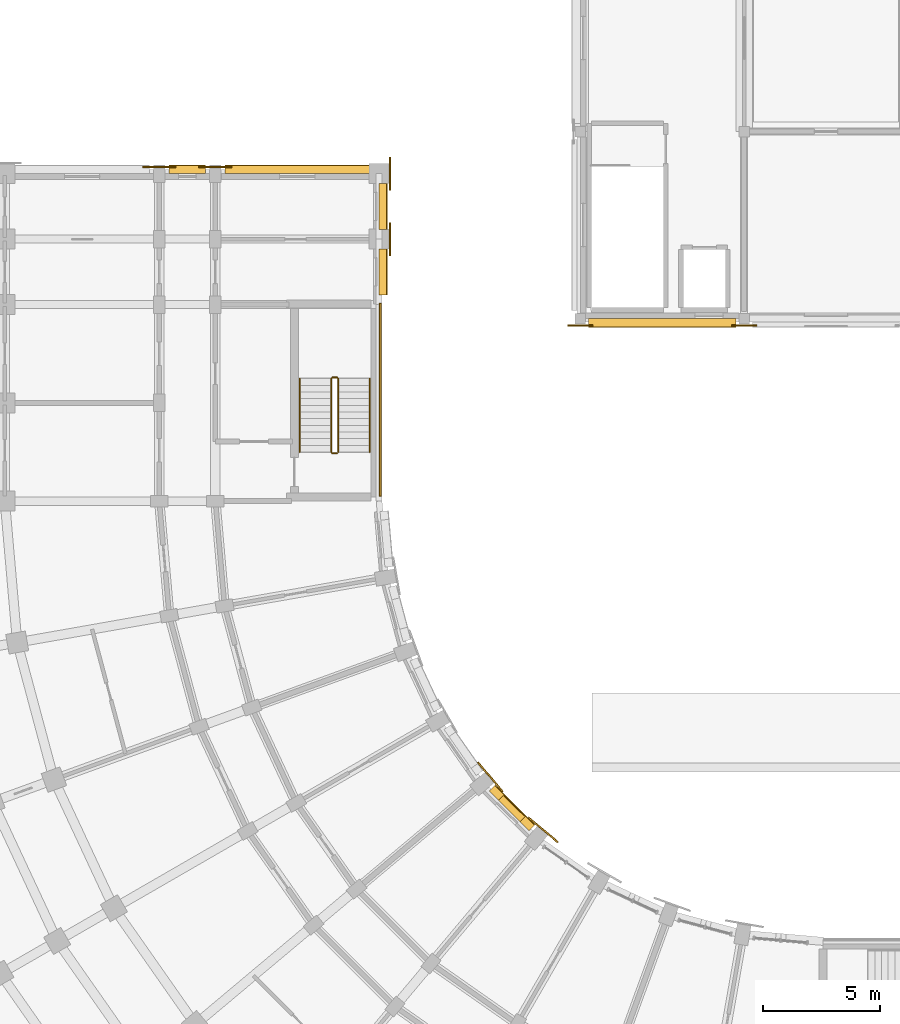
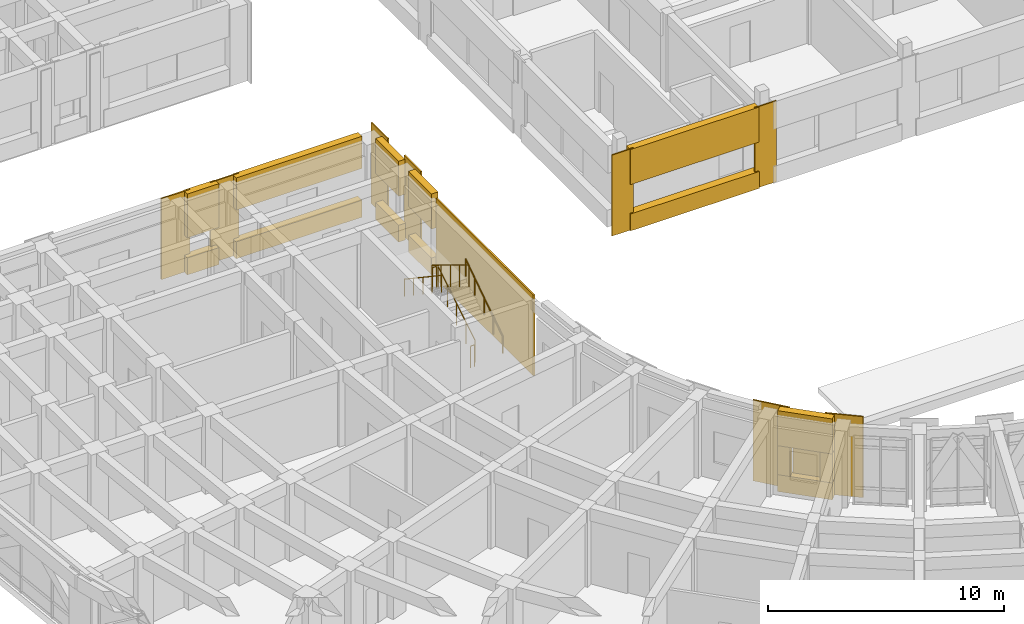
# One storey, part 84 of 97: 23 coverings, 6 railings, 1 shading device.
"""IFC4 building model written with IfcOpenShell, lengths in metres."""

from ifc_helpers import new_model, si_unit, direction, frame, origin, origin_2d, place, context, subcontext, project, spatial, polyline, rectangle, circle, outline, extrude, material, layer, layer_set, type_object, element, save


model = new_model("IFC4")

# Units and contexts
model_context = context("Model", 3, precision=1e-05, world=origin(), true_north=direction((0.0, 1.0)))
body_context = subcontext(model_context, "Body", "Model", "MODEL_VIEW")
ifc_project = project(units=[si_unit("LENGTHUNIT", "METRE"), si_unit("AREAUNIT", "SQUARE_METRE"), si_unit("VOLUMEUNIT", "CUBIC_METRE"), si_unit("PLANEANGLEUNIT", "RADIAN"), si_unit("MASSUNIT", "GRAM", prefix="KILO")], contexts=[model_context])

# Site, building, storey
site_placement = place(None, origin())
site = spatial("IfcSite", under=ifc_project, at=site_placement, CompositionType="ELEMENT")
building_placement = place(site_placement, origin())
building = spatial("IfcBuilding", under=site, at=building_placement, Name="Kiranvali Square Residences", CompositionType="ELEMENT")
storey_placement = place(building_placement, frame((0.0, 0.0, 4.5)))
storey = spatial("IfcBuildingStorey", under=building, at=storey_placement, Name="L01", CompositionType="ELEMENT", Elevation=4.5)

# Coverings
ifc_material_1 = material(Name="Honed Porbandar limestone ashlar facade cladding", Category="masonry")
ifc_layer_1 = layer(ifc_material_1, 0.3798828125)
ifc_layer_set_1 = layer_set([ifc_layer_1], Name="Honed Porbandar limestone ashlar facade cladding")
covering_type_1 = type_object("IfcCoveringType", Name="COV-CLAD-JAMB", PredefinedType="CLADDING", material=ifc_layer_set_1)
covering_1_placement = place(storey_placement, frame((0.0, 0.0, 0.8798828125)))
element("IfcCovering", 1, at=covering_1_placement, inside=storey, type_object=covering_type_1, Name="L01 deep limestone window jamb reveal C-L01-GDN-04.L", PredefinedType="CLADDING", context=body_context, shape_type="SweptSolid", body=[
    extrude(outline(polyline([(36.044921875, 34.349853515625), (35.656982421875, 34.73779296875), (35.4169921875, 34.497802734375), (35.804931640625, 34.10986328125), (36.044921875, 34.349853515625)])), origin(), (0.0, 0.0, 1.0), 1.5),
])
covering_2_placement = place(storey_placement, frame((0.0, 0.0, 0.8798828125)))
element("IfcCovering", 2, at=covering_2_placement, inside=storey, type_object=covering_type_1, Name="L01 deep limestone window jamb reveal C-L01-GDN-04.R", PredefinedType="CLADDING", context=body_context, shape_type="SweptSolid", body=[
    extrude(outline(polyline([(34.73779296875, 35.656982421875), (34.349853515625, 36.044921875), (34.10986328125, 35.804931640625), (34.497802734375, 35.4169921875), (34.73779296875, 35.656982421875)])), origin(), (0.0, 0.0, 1.0), 1.5),
])
ifc_layer_2 = layer(ifc_material_1, 0.06494140625)
ifc_layer_set_2 = layer_set([ifc_layer_2], Name="Honed Porbandar limestone ashlar facade cladding")
covering_type_2 = type_object("IfcCoveringType", Name="COV-CLAD-PIER", PredefinedType="CLADDING", material=ifc_layer_set_2)
covering_3_placement = place(storey_placement, frame((0.0, 0.0, 0.0048828125)))
element("IfcCovering", 3, at=covering_3_placement, inside=storey, type_object=covering_type_2, Name="Block C L01 Arm 2 stair limestone ashlar cladding", PredefinedType="CLADDING", context=body_context, shape_type="SweptSolid", body=[
    extrude(outline(polyline([(29.47998046875, 48.39990234375), (29.47998046875, 56.64990234375), (29.402099609375, 56.64990234375), (29.402099609375, 48.39990234375), (29.47998046875, 48.39990234375)])), origin(), (0.0, 0.0, 1.0), 4.190185546875),
])
covering_4_placement = place(storey_placement, frame((0.0, 0.0, 0.0048828125)))
element("IfcCovering", 4, at=covering_4_placement, inside=storey, type_object=covering_type_2, Name="L01 Classical limestone pilaster casing CLAD-NR-L01-S0", PredefinedType="CLADDING", context=body_context, shape_type="SweptSolid", body=[
    extrude(outline(polyline([(37.469970703125, 55.681884765625), (38.530029296875, 55.681884765625), (38.530029296875, 55.74951171875), (37.469970703125, 55.74951171875), (37.469970703125, 55.681884765625)])), origin(), (0.0, 0.0, 1.0), 4.190185546875),
])
covering_5_placement = place(storey_placement, frame((0.0, 0.0, 0.0048828125)))
element("IfcCovering", 5, at=covering_5_placement, inside=storey, type_object=covering_type_2, Name="L01 Classical limestone pilaster casing CLAD-NR-L01-S1", PredefinedType="CLADDING", context=body_context, shape_type="SweptSolid", body=[
    extrude(outline(polyline([(44.469970703125, 55.681884765625), (45.530029296875, 55.681884765625), (45.530029296875, 55.74951171875), (44.469970703125, 55.74951171875), (44.469970703125, 55.681884765625)])), origin(), (0.0, 0.0, 1.0), 4.190185546875),
])
ifc_layer_3 = layer(ifc_material_1, 0.050048828125)
ifc_layer_set_3 = layer_set([ifc_layer_3], Name="Honed Porbandar limestone ashlar facade cladding")
covering_type_3 = type_object("IfcCoveringType", Name="COV-CLAD-PIER-IN", PredefinedType="CLADDING", material=ifc_layer_set_3)
covering_6_placement = place(storey_placement, frame((0.0, 0.0, 0.0048828125)))
element("IfcCovering", 6, at=covering_6_placement, inside=storey, type_object=covering_type_3, Name="L01 Classical garden courtyard pilaster CLAD-PRIN-C-L01-A04", PredefinedType="CLADDING", context=body_context, shape_type="SweptSolid", body=[
    extrude(outline(polyline([(37.064453125, 33.645751953125), (35.800537109375, 34.706298828125), (35.757080078125, 34.654541015625), (37.02099609375, 33.593994140625), (37.064453125, 33.645751953125)])), origin(), (0.0, 0.0, 1.0), 4.190185546875),
])
covering_7_placement = place(storey_placement, frame((0.0, 0.0, 0.0048828125)))
element("IfcCovering", 7, at=covering_7_placement, inside=storey, type_object=covering_type_3, Name="L01 Classical garden courtyard pilaster CLAD-PRIN-C-L01-A05", PredefinedType="CLADDING", context=body_context, shape_type="SweptSolid", body=[
    extrude(outline(polyline([(34.706298828125, 35.800537109375), (33.645751953125, 37.064453125), (33.593994140625, 37.02099609375), (34.654541015625, 35.757080078125), (34.706298828125, 35.800537109375)])), origin(), (0.0, 0.0, 1.0), 4.190185546875),
])
covering_8_placement = place(storey_placement, frame((0.0, 0.0, 0.0048828125)))
element("IfcCovering", 8, at=covering_8_placement, inside=storey, type_object=covering_type_3, Name="L01 Classical limestone pilaster casing CLAD-PRA2I-C-L01-V112", PredefinedType="CLADDING", context=body_context, shape_type="SweptSolid", body=[
    extrude(outline(polyline([(29.89306640625, 58.695068359375), (29.89306640625, 60.10498046875), (29.825439453125, 60.10498046875), (29.825439453125, 58.695068359375), (29.89306640625, 58.695068359375)])), origin(), (0.0, 0.0, 1.0), 4.190185546875),
])
covering_9_placement = place(storey_placement, frame((0.0, 0.0, 0.0048828125)))
element("IfcCovering", 9, at=covering_9_placement, inside=storey, type_object=covering_type_3, Name="L01 Classical limestone pilaster casing CLAD-PRA2I-C-L01-V140", PredefinedType="CLADDING", context=body_context, shape_type="SweptSolid", body=[
    extrude(outline(polyline([(29.89306640625, 61.4951171875), (29.89306640625, 62.905029296875), (29.825439453125, 62.905029296875), (29.825439453125, 61.4951171875), (29.89306640625, 61.4951171875)])), origin(), (0.0, 0.0, 1.0), 4.190185546875),
])
ifc_layer_4 = layer(ifc_material_1, 0.054931640625)
ifc_layer_set_4 = layer_set([ifc_layer_4], Name="Honed Porbandar limestone ashlar facade cladding")
covering_type_4 = type_object("IfcCoveringType", Name="COV-CLAD-PIER-UP", PredefinedType="CLADDING", material=ifc_layer_set_4)
covering_10_placement = place(storey_placement, frame((0.0, 0.0, 0.0048828125)))
element("IfcCovering", 10, at=covering_10_placement, inside=storey, type_object=covering_type_4, Name="L01 Classical limestone pilaster casing CLAD-PRA2E-C-L01-R258", PredefinedType="CLADDING", context=body_context, shape_type="SweptSolid", body=[
    extrude(outline(polyline([(23.10498046875, 62.51806640625), (21.695068359375, 62.51806640625), (21.695068359375, 62.450439453125), (23.10498046875, 62.450439453125), (23.10498046875, 62.51806640625)])), origin(), (0.0, 0.0, 1.0), 4.190185546875),
])
covering_11_placement = place(storey_placement, frame((0.0, 0.0, 0.0048828125)))
element("IfcCovering", 11, at=covering_11_placement, inside=storey, type_object=covering_type_4, Name="L01 Classical limestone pilaster casing CLAD-PRA2E-C-L01-R282", PredefinedType="CLADDING", context=body_context, shape_type="SweptSolid", body=[
    extrude(outline(polyline([(20.705078125, 62.51806640625), (19.294921875, 62.51806640625), (19.294921875, 62.450439453125), (20.705078125, 62.450439453125), (20.705078125, 62.51806640625)])), origin(), (0.0, 0.0, 1.0), 4.190185546875),
])
ifc_layer_5 = layer(ifc_material_1, 0.360107421875)
ifc_layer_set_5 = layer_set([ifc_layer_5], Name="Honed Porbandar limestone ashlar facade cladding")
covering_type_5 = type_object("IfcCoveringType", Name="COV-CLAD-WALL", PredefinedType="CLADDING", material=ifc_layer_set_5)
covering_12_placement = place(storey_placement, frame((0.0, 0.0, 2.3798828125)))
element("IfcCovering", 12, at=covering_12_placement, inside=storey, type_object=covering_type_5, Name="L01 light limestone spandrel lintel C-L01-GDN-04", PredefinedType="CLADDING", context=body_context, shape_type="SweptSolid", body=[
    extrude(outline(polyline([(36.044921875, 34.349853515625), (34.349853515625, 36.044921875), (34.10986328125, 35.804931640625), (35.804931640625, 34.10986328125), (36.044921875, 34.349853515625)])), origin(), (0.0, 0.0, 1.0), 1.815185546875),
])
covering_13_placement = place(storey_placement, frame((0.0, 0.0, 2.3798828125)))
element("IfcCovering", 13, at=covering_13_placement, inside=storey, type_object=covering_type_5, Name="L01 light limestone spandrel lintel C-L01-A2I-0", PredefinedType="CLADDING", context=body_context, shape_type="SweptSolid", body=[
    extrude(outline(polyline([(29.719970703125, 57.02001953125), (29.719970703125, 58.97998046875), (29.400390625, 58.97998046875), (29.400390625, 57.02001953125), (29.719970703125, 57.02001953125)])), origin(), (0.0, 0.0, 1.0), 1.815185546875),
])
covering_14_placement = place(storey_placement, frame((0.0, 0.0, 0.0048828125)))
element("IfcCovering", 14, at=covering_14_placement, inside=storey, type_object=covering_type_5, Name="L01 limestone window sill apron C-L01-A2I-0", PredefinedType="CLADDING", context=body_context, shape_type="SweptSolid", body=[
    extrude(outline(polyline([(29.75, 57.02001953125), (29.75, 58.97998046875), (29.400390625, 58.97998046875), (29.400390625, 57.02001953125), (29.75, 57.02001953125)])), origin(), (0.0, 0.0, 1.0), 0.875),
])
covering_15_placement = place(storey_placement, frame((0.0, 0.0, 2.3798828125)))
element("IfcCovering", 15, at=covering_15_placement, inside=storey, type_object=covering_type_5, Name="L01 light limestone spandrel lintel C-L01-A2I-1", PredefinedType="CLADDING", context=body_context, shape_type="SweptSolid", body=[
    extrude(outline(polyline([(29.719970703125, 59.820068359375), (29.719970703125, 61.780029296875), (29.400390625, 61.780029296875), (29.400390625, 59.820068359375), (29.719970703125, 59.820068359375)])), origin(), (0.0, 0.0, 1.0), 1.815185546875),
])
covering_16_placement = place(storey_placement, frame((0.0, 0.0, 0.0048828125)))
element("IfcCovering", 16, at=covering_16_placement, inside=storey, type_object=covering_type_5, Name="L01 limestone window sill apron C-L01-A2I-1", PredefinedType="CLADDING", context=body_context, shape_type="SweptSolid", body=[
    extrude(outline(polyline([(29.75, 59.820068359375), (29.75, 61.780029296875), (29.400390625, 61.780029296875), (29.400390625, 59.820068359375), (29.75, 59.820068359375)])), origin(), (0.0, 0.0, 1.0), 0.875),
])
covering_17_placement = place(storey_placement, frame((0.0, 0.0, 2.530029296875)))
element("IfcCovering", 17, at=covering_17_placement, inside=storey, type_object=covering_type_5, Name="L01 light limestone spandrel lintel C-L01-A2END-0", PredefinedType="CLADDING", context=body_context, shape_type="SweptSolid", body=[
    extrude(outline(polyline([(28.97998046875, 62.5400390625), (22.820068359375, 62.5400390625), (22.820068359375, 62.200439453125), (28.97998046875, 62.200439453125), (28.97998046875, 62.5400390625)])), origin(), (0.0, 0.0, 1.0), 1.6650390625),
])
covering_18_placement = place(storey_placement, frame((0.0, 0.0, 0.0048828125)))
element("IfcCovering", 18, at=covering_18_placement, inside=storey, type_object=covering_type_5, Name="L01 limestone window sill apron C-L01-A2END-0", PredefinedType="CLADDING", context=body_context, shape_type="SweptSolid", body=[
    extrude(outline(polyline([(28.97998046875, 62.570068359375), (22.820068359375, 62.570068359375), (22.820068359375, 62.200439453125), (28.97998046875, 62.200439453125), (28.97998046875, 62.570068359375)])), origin(), (0.0, 0.0, 1.0), 0.875),
])
covering_19_placement = place(storey_placement, frame((0.0, 0.0, 1.929931640625)))
element("IfcCovering", 19, at=covering_19_placement, inside=storey, type_object=covering_type_5, Name="L01 light limestone spandrel lintel C-L01-A2END-1", PredefinedType="CLADDING", context=body_context, shape_type="SweptSolid", body=[
    extrude(outline(polyline([(21.97998046875, 62.5400390625), (20.419921875, 62.5400390625), (20.419921875, 62.200439453125), (21.97998046875, 62.200439453125), (21.97998046875, 62.5400390625)])), origin(), (0.0, 0.0, 1.0), 2.26513671875),
])
covering_20_placement = place(storey_placement, frame((0.0, 0.0, 0.0048828125)))
element("IfcCovering", 20, at=covering_20_placement, inside=storey, type_object=covering_type_5, Name="L01 limestone window sill apron C-L01-A2END-1", PredefinedType="CLADDING", context=body_context, shape_type="SweptSolid", body=[
    extrude(outline(polyline([(21.97998046875, 62.570068359375), (20.419921875, 62.570068359375), (20.419921875, 62.200439453125), (21.97998046875, 62.200439453125), (21.97998046875, 62.570068359375)])), origin(), (0.0, 0.0, 1.0), 0.875),
])
covering_21_placement = place(storey_placement, frame((0.0, 0.0, 2.3798828125)))
element("IfcCovering", 21, at=covering_21_placement, inside=storey, type_object=covering_type_5, Name="L01 light limestone spandrel lintel NR-L01-S-0", PredefinedType="CLADDING", context=body_context, shape_type="SweptSolid", body=[
    extrude(outline(polyline([(38.35009765625, 55.64990234375), (44.64990234375, 55.64990234375), (44.64990234375, 55.99951171875), (38.35009765625, 55.99951171875), (38.35009765625, 55.64990234375)])), origin(), (0.0, 0.0, 1.0), 1.815185546875),
])
covering_22_placement = place(storey_placement, frame((0.0, 0.0, 0.0048828125)))
element("IfcCovering", 22, at=covering_22_placement, inside=storey, type_object=covering_type_5, Name="L01 limestone window sill apron NR-L01-S-0", PredefinedType="CLADDING", context=body_context, shape_type="SweptSolid", body=[
    extrude(outline(polyline([(38.35009765625, 55.6201171875), (44.64990234375, 55.6201171875), (44.64990234375, 55.99951171875), (38.35009765625, 55.99951171875), (38.35009765625, 55.6201171875)])), origin(), (0.0, 0.0, 1.0), 0.875),
])
ifc_layer_6 = layer(ifc_material_1, 0.2900390625)
ifc_layer_set_6 = layer_set([ifc_layer_6], Name="Honed Porbandar limestone ashlar facade cladding")
covering_type_6 = type_object("IfcCoveringType", Name="COV-CLAD-WALL-IN", PredefinedType="CLADDING", material=ifc_layer_set_6)
covering_23_placement = place(storey_placement, frame((0.0, 0.0, 0.0048828125)))
element("IfcCovering", 23, at=covering_23_placement, inside=storey, type_object=covering_type_6, Name="L01 limestone window sill apron C-L01-GDN-04", PredefinedType="CLADDING", context=body_context, shape_type="SweptSolid", body=[
    extrude(outline(polyline([(36.066162109375, 34.37109375), (34.37109375, 36.066162109375), (34.10986328125, 35.804931640625), (35.804931640625, 34.10986328125), (36.066162109375, 34.37109375)])), origin(), (0.0, 0.0, 1.0), 0.875),
])

# Railings
ifc_material_2 = material(Name="Brushed stainless steel tubular handrail", Category="steel")
railing_type_1 = type_object("IfcRailingType", Name="RL-HANDRAIL-900", PredefinedType="HANDRAIL", material=ifc_material_2)
railing_1_placement = place(storey_placement, frame((29.0, 50.300048828125, 0.175048828125)))
element("IfcRailing", 24, at=railing_1_placement, inside=storey, type_object=railing_type_1, Name="L01 ST-C3 stair handrail 1", PredefinedType="HANDRAIL", context=body_context, shape_type="SweptSolid", body=[
    extrude(circle(Radius=0.02392578125, at=origin_2d()), frame((0.0, 0.0, 0.8759765625), z_axis=(0.0, 0.830843872262, 0.556505579419), x_axis=(-1.0, 0.0, 0.0)), (0.0, 0.0, 1.0), 3.773193359375),
    extrude(circle(Radius=0.02099609375, at=origin_2d()), origin(), (0.0, 0.0, 1.0), 0.851806640625),
    extrude(circle(Radius=0.02099609375, at=origin_2d()), frame((0.0, 0.78369140625, 0.52490234375)), (0.0, 0.0, 1.0), 0.851806640625),
    extrude(circle(Radius=0.02099609375, at=origin_2d()), frame((0.0, 1.5673828125, 1.0498046875)), (0.0, 0.0, 1.0), 0.851806640625),
    extrude(circle(Radius=0.02099609375, at=origin_2d()), frame((0.0, 2.351318359375, 1.574951171875)), (0.0, 0.0, 1.0), 0.851806640625),
    extrude(circle(Radius=0.02099609375, at=origin_2d()), frame((0.0, 3.135009765625, 2.099853515625)), (0.0, 0.0, 1.0), 0.851806640625),
])
railing_2_placement = place(storey_placement, frame((26.0, 53.43505859375, 2.27490234375)))
element("IfcRailing", 25, at=railing_2_placement, inside=storey, type_object=railing_type_1, Name="L01 ST-C3 stair handrail 2", PredefinedType="HANDRAIL", context=body_context, shape_type="SweptSolid", body=[
    extrude(circle(Radius=0.02392578125, at=origin_2d()), frame((0.0, 0.0, 0.8759765625), z_axis=(0.0, -0.830813955726, 0.556550241192), x_axis=(1.0, 0.0, 0.0)), (0.0, 0.0, 1.0), 3.7734375),
    extrude(circle(Radius=0.02099609375, at=origin_2d()), origin(), (0.0, 0.0, 1.0), 0.851806640625),
    extrude(circle(Radius=0.02099609375, at=origin_2d()), frame((0.0, -0.78369140625, 0.52490234375)), (0.0, 0.0, 1.0), 0.851806640625),
    extrude(circle(Radius=0.02099609375, at=origin_2d()), frame((0.0, -1.5673828125, 1.050048828125)), (0.0, 0.0, 1.0), 0.851806640625),
    extrude(circle(Radius=0.02099609375, at=origin_2d()), frame((0.0, -2.351318359375, 1.5751953125)), (0.0, 0.0, 1.0), 0.851806640625),
    extrude(circle(Radius=0.02099609375, at=origin_2d()), frame((0.0, -3.135009765625, 2.10009765625)), (0.0, 0.0, 1.0), 0.851806640625),
])
ifc_material_3 = material(Name="Powder-coated architectural bronze balustrade", Category="steel")
railing_type_2 = type_object("IfcRailingType", Name="RL-ST-GUARD-1200", PredefinedType="GUARDRAIL", material=ifc_material_3)
railing_3_placement = place(storey_placement, frame((27.64990234375, 50.300048828125, 0.175048828125)))
element("IfcRailing", 26, at=railing_3_placement, inside=storey, type_object=railing_type_2, Name="L01 ST-C3 stair guard 1", PredefinedType="GUARDRAIL", context=body_context, shape_type="SweptSolid", body=[
    extrude(circle(Radius=0.02392578125, at=origin_2d()), frame((0.0, 0.0, 1.1259765625), z_axis=(0.0, 0.852166034122, 0.523271488128), x_axis=(-1.0, 0.0, 0.0)), (0.0, 0.0, 1.0), 3.678955078125),
    extrude(circle(Radius=0.02099609375, at=origin_2d()), origin(), (0.0, 0.0, 1.0), 1.101806640625),
    extrude(circle(Radius=0.02099609375, at=origin_2d()), frame((0.0, 0.78369140625, 0.481201171875)), (0.0, 0.0, 1.0), 1.101806640625),
    extrude(circle(Radius=0.02099609375, at=origin_2d()), frame((0.0, 1.5673828125, 0.96240234375)), (0.0, 0.0, 1.0), 1.101806640625),
    extrude(circle(Radius=0.02099609375, at=origin_2d()), frame((0.0, 2.351318359375, 1.44384765625)), (0.0, 0.0, 1.0), 1.101806640625),
    extrude(circle(Radius=0.02099609375, at=origin_2d()), frame((0.0, 3.135009765625, 1.925048828125)), (0.0, 0.0, 1.0), 1.101806640625),
])
railing_4_placement = place(storey_placement, frame((27.60009765625, 53.485107421875, 2.10009765625)))
element("IfcRailing", 27, at=railing_4_placement, inside=storey, type_object=railing_type_2, Name="L01 ST-C3 stair guard 2", PredefinedType="GUARDRAIL", context=body_context, shape_type="SweptSolid", body=[
    extrude(circle(Radius=0.02392578125, at=origin_2d()), frame((0.0, 0.0, 1.1259765625), z_axis=(-1.0, 0.0, 0.0), x_axis=(0.0, -1.0, 0.0)), (0.0, 0.0, 1.0), 0.2001953125),
    extrude(circle(Radius=0.02099609375, at=origin_2d()), origin(), (0.0, 0.0, 1.0), 1.101806640625),
    extrude(circle(Radius=0.02099609375, at=origin_2d()), frame((-0.2001953125, 0.0, 0.0)), (0.0, 0.0, 1.0), 1.101806640625),
])
railing_5_placement = place(storey_placement, frame((27.35009765625, 53.43505859375, 2.27490234375)))
element("IfcRailing", 28, at=railing_5_placement, inside=storey, type_object=railing_type_2, Name="L01 ST-C3 stair guard 3", PredefinedType="GUARDRAIL", context=body_context, shape_type="SweptSolid", body=[
    extrude(circle(Radius=0.02392578125, at=origin_2d()), frame((0.0, 0.0, 1.1259765625), z_axis=(0.0, -0.852166034122, 0.523271488128), x_axis=(1.0, 0.0, 0.0)), (0.0, 0.0, 1.0), 3.678955078125),
    extrude(circle(Radius=0.02099609375, at=origin_2d()), origin(), (0.0, 0.0, 1.0), 1.101806640625),
    extrude(circle(Radius=0.02099609375, at=origin_2d()), frame((0.0, -0.78369140625, 0.481201171875)), (0.0, 0.0, 1.0), 1.101806640625),
    extrude(circle(Radius=0.02099609375, at=origin_2d()), frame((0.0, -1.5673828125, 0.96240234375)), (0.0, 0.0, 1.0), 1.101806640625),
    extrude(circle(Radius=0.02099609375, at=origin_2d()), frame((0.0, -2.351318359375, 1.44384765625)), (0.0, 0.0, 1.0), 1.101806640625),
    extrude(circle(Radius=0.02099609375, at=origin_2d()), frame((0.0, -3.135009765625, 1.925048828125)), (0.0, 0.0, 1.0), 1.101806640625),
])
railing_6_placement = place(storey_placement, frame((27.60009765625, 50.25, 0.0)))
element("IfcRailing", 29, at=railing_6_placement, inside=storey, type_object=railing_type_2, Name="L01 ST-C3 stair guard 4", PredefinedType="GUARDRAIL", context=body_context, shape_type="SweptSolid", body=[
    extrude(circle(Radius=0.02392578125, at=origin_2d()), frame((0.0, 0.0, 1.1259765625), z_axis=(-1.0, 0.0, 0.0), x_axis=(0.0, -1.0, 0.0)), (0.0, 0.0, 1.0), 0.2001953125),
    extrude(circle(Radius=0.02099609375, at=origin_2d()), origin(), (0.0, 0.0, 1.0), 1.101806640625),
    extrude(circle(Radius=0.02099609375, at=origin_2d()), frame((-0.2001953125, 0.0, 0.0)), (0.0, 0.0, 1.0), 1.101806640625),
])

# Shading device
ifc_material_4 = material(Name="Pierced buff sandstone architectural mashrabiya solar screen", Category="masonry")
shading_device_type = type_object("IfcShadingDeviceType", Name="SHD-JALI-1600", PredefinedType="JALOUSIE", material=ifc_material_4)
shading_device_placement = place(storey_placement, frame((35.183349609375, 35.183349609375, 0.8798828125), z_axis=(0.0, 0.0, 1.0), x_axis=(-0.707106781187, 0.707106781187, 0.0)))
element("IfcShadingDevice", 30, at=shading_device_placement, inside=storey, type_object=shading_device_type, Name="L01 carved stone Mashrabiya screen C-L01-GDN-04", PredefinedType="JALOUSIE", context=body_context, shape_type="SweptSolid", body=[
    extrude(rectangle(XDim=1.199951171875, YDim=0.044921875, at=origin_2d()), origin(), (0.0, 0.0, 1.0), 1.5),
])

save(model, "model.ifc")
